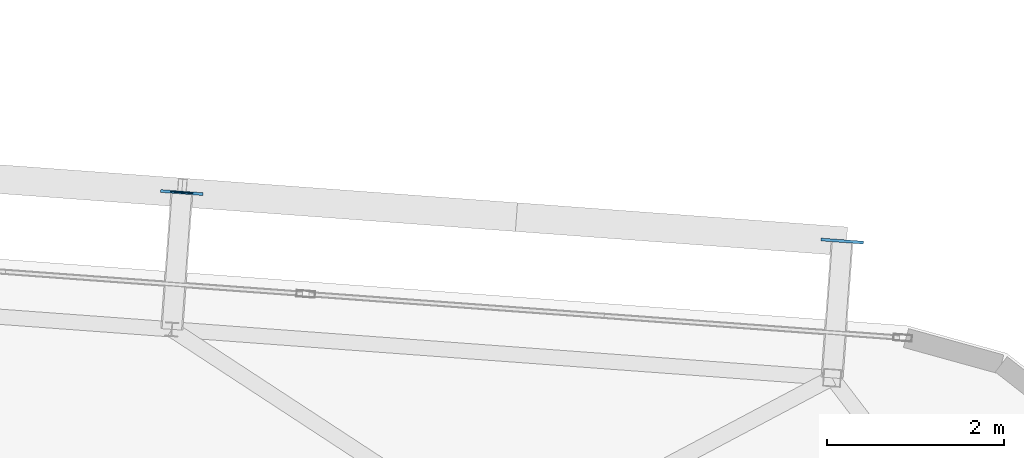
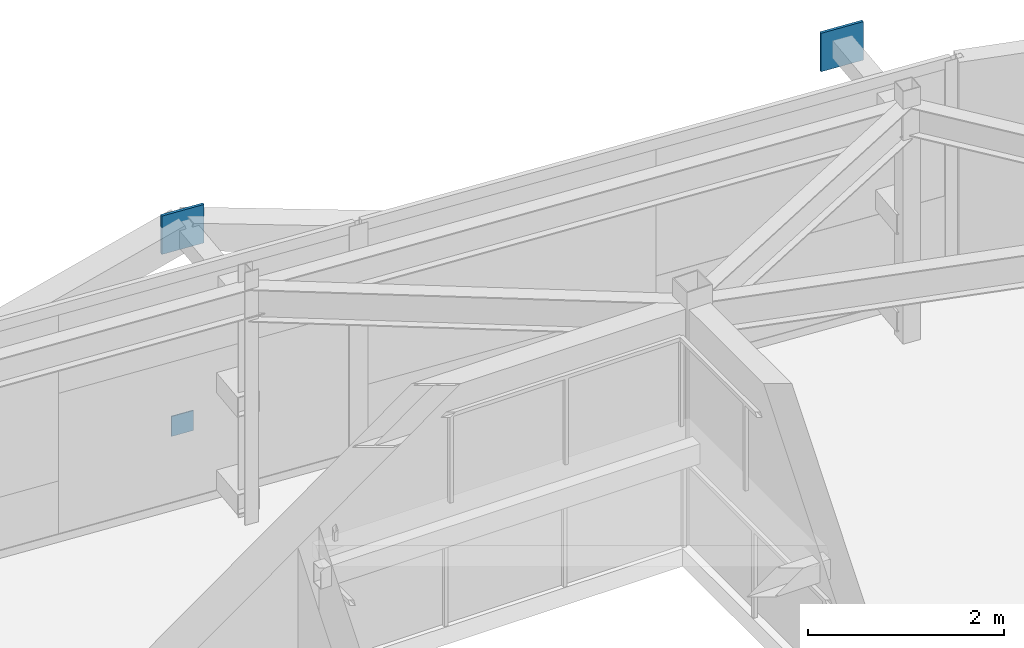
# One storey, part 35 of 39: 3 plates.
"""IFC4 building model written with IfcOpenShell, lengths in metres."""

from ifc_helpers import new_model, si_unit, direction, frame, origin, origin_2d, place, context, subcontext, project, spatial, rectangle, extrude, source, transform, mapped, material, layer, layer_set, type_object, element, save


model = new_model("IFC4")

# Units and contexts
model_context = context("Model", 3, precision=1e-05, world=origin(), true_north=direction((0.0, 1.0)))
body_context = subcontext(model_context, "Body", "Model", "MODEL_VIEW")
ifc_project = project(units=[si_unit("LENGTHUNIT", "METRE"), si_unit("AREAUNIT", "SQUARE_METRE"), si_unit("VOLUMEUNIT", "CUBIC_METRE"), si_unit("PLANEANGLEUNIT", "RADIAN"), si_unit("MASSUNIT", "GRAM", prefix="KILO")], contexts=[model_context])

# Site, building, storey
site_placement = place(None, origin())
site = spatial("IfcSite", under=ifc_project, at=site_placement, CompositionType="ELEMENT")
building_placement = place(site_placement, origin())
building = spatial("IfcBuilding", under=site, at=building_placement, Name="Taldren Reach Tower", CompositionType="ELEMENT")
storey_placement = place(building_placement, frame((0.0, 0.0, 230.300048828125)))
storey = spatial("IfcBuildingStorey", under=building, at=storey_placement, Name="L70", CompositionType="ELEMENT", Elevation=230.300048828125)

# Plates
ifc_material_1 = material(Name="Steel Gr 350 (C350L0)", Category="steel")
ifc_layer_1 = layer(ifc_material_1, 0.011962890625)
ifc_layer_set_1 = layer_set([ifc_layer_1], Name="Steel Gr 350 (C350L0)")
plate_type_1 = type_object("IfcPlateType", Name="PL-CAP-250", PredefinedType="SHEET", material=ifc_layer_set_1)
shared_shape_1 = source(origin(), body_context, "Body", "SweptSolid", [
    extrude(rectangle(XDim=0.25, YDim=0.011962890625, at=origin_2d()), origin(), (0.0, 0.0, 1.0), 0.25),
])
plate_placement = place(storey_placement, frame((47.3134765625, 36.039306640625, 0.094970703125), z_axis=(0.0, 0.0, 1.0), x_axis=(0.997314477224, -0.073238197128, 0.0)))
element("IfcPlate", 1, at=plate_placement, inside=storey, type_object=plate_type_1, Name="Tie strut end cap plate B5-N5 L70", PredefinedType="SHEET", context=body_context, shape_type="MappedRepresentation", body=[
    mapped(shared_shape_1, transform((0.0, 0.0, 0.0), scale=1.0)),
])
ifc_material_2 = material(Name="Steel Gr 450 (C450L0)", Category="steel")
ifc_layer_2 = layer(ifc_material_2, 0.031982421875)
ifc_layer_set_2 = layer_set([ifc_layer_2], Name="Steel Gr 450 (C450L0)")
plate_type_2 = type_object("IfcPlateType", Name="PL-GUSSET-32", PredefinedType="SHEET", material=ifc_layer_set_2)
shared_shape_2 = source(origin(), body_context, "Body", "SweptSolid", [
    extrude(rectangle(XDim=0.47998046875, YDim=0.031982421875, at=origin_2d()), origin(), (0.0, 0.0, 1.0), 0.47998046875),
])
for number, where, z_axis, x_axis, name in (
    (2, (47.31298828125, 36.033447265625, 2.409912109375), (0.0, 0.0, 1.0), (0.997314477224, -0.073238197128, 0.0), "Exoskeleton star-node gusset plate B5-N5 L70"),
    (3, (54.77294921875, 35.485595703125, 2.409912109375), (0.0, 0.0, 1.0), (0.997314477224, -0.073238197128, 0.0), "Exoskeleton star-node gusset plate B5-N6 L70"),
):
    element("IfcPlate", number, at=place(storey_placement, frame(where, z_axis=z_axis, x_axis=x_axis)), inside=storey, type_object=plate_type_2, Name=name, PredefinedType="SHEET", context=body_context, shape_type="MappedRepresentation", body=[
        mapped(shared_shape_2, transform((0.0, 0.0, 0.0), scale=1.0)),
    ])

save(model, "model.ifc")
